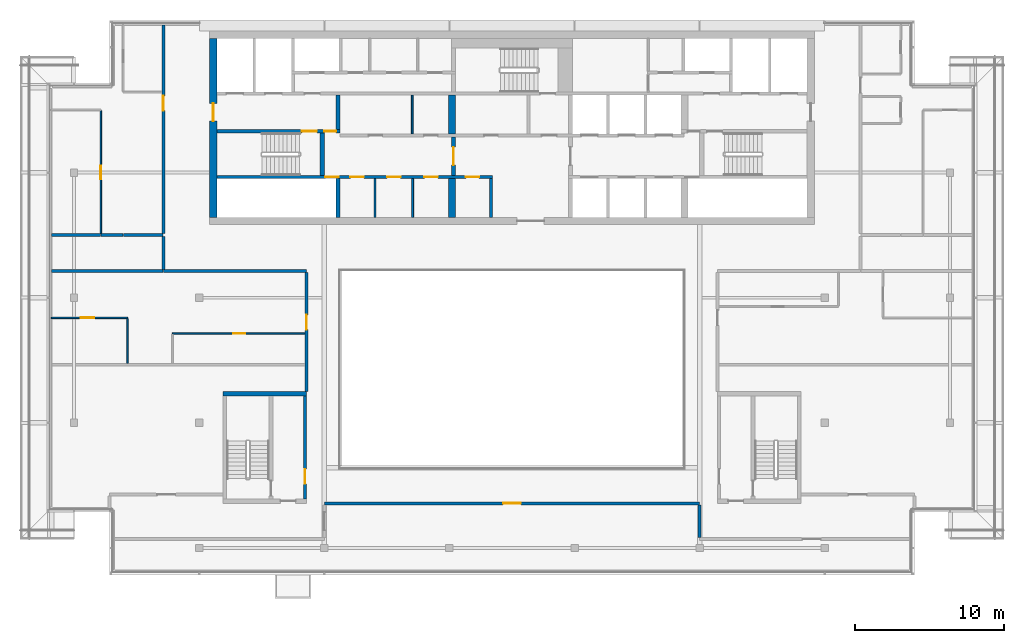
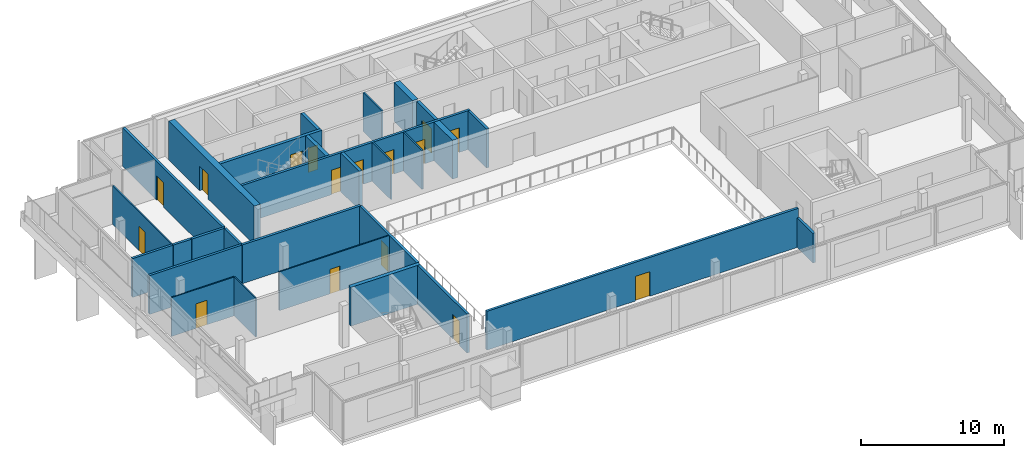
# One storey, part 11 of 19: 29 walls, 16 doors, 16 openings.
"""IFC4 building model written with IfcOpenShell, lengths in metres."""

from ifc_helpers import new_model, si_unit, direction, frame, frame_2d, origin, place, context, subcontext, project, spatial, rectangle, extrude, material, layer, layer_set, type_object, element, fill, save


model = new_model("IFC4")

# Units and contexts
model_context = context("Model", 3, precision=1e-05, world=origin(), true_north=direction((0.0, 1.0)))
body_context = subcontext(model_context, "Body", "Model", "MODEL_VIEW")
ifc_project = project(units=[si_unit("LENGTHUNIT", "METRE"), si_unit("AREAUNIT", "SQUARE_METRE"), si_unit("VOLUMEUNIT", "CUBIC_METRE"), si_unit("PLANEANGLEUNIT", "RADIAN"), si_unit("MASSUNIT", "GRAM", prefix="KILO")], contexts=[model_context])

# Site, building, storey
site_placement = place(None, origin())
site = spatial("IfcSite", under=ifc_project, at=site_placement, CompositionType="ELEMENT")
building_placement = place(site_placement, origin())
building = spatial("IfcBuilding", under=site, at=building_placement, Name="Saffron Gate Tower", CompositionType="ELEMENT")
storey_placement = place(building_placement, frame((0.0, 0.0, 292.35009765625)))
storey = spatial("IfcBuildingStorey", under=building, at=storey_placement, Name="L71", CompositionType="ELEMENT", Elevation=292.35009765625)

# Wall
ifc_material_1 = material(Name="Gypsum board partition on steel studs", Category="steel")
ifc_layer_1 = layer(ifc_material_1, 0.199951171875)
ifc_layer_set_1 = layer_set([ifc_layer_1], Name="CW10 Core partition 200")
wall_type_1 = type_object("IfcWallType", Name="CW10 Core partition 200", PredefinedType="PARTITIONING", material=ifc_layer_set_1)
wall_1_placement = place(storey_placement, frame((86.199951171875, 62.39990234375, 0.0), z_axis=(0.0, 0.0, 1.0), x_axis=(0.0, 1.0, 0.0)))
element("IfcWall", 1, at=wall_1_placement, inside=storey, type_object=wall_type_1, Name="Wall CW10-L71-9", PredefinedType="PARTITIONING", context=body_context, shape_type="SweptSolid", body=[
    extrude(rectangle(XDim=2.60009765625, YDim=0.199951171875, at=frame_2d((1.300048828125, 0.0))), origin(), (0.0, 0.0, 1.0), 3.31982421875),
])

# Wall, opening, door
wall_2_placement = place(storey_placement, frame((73.699951171875, 43.5, 0.0), z_axis=(0.0, 0.0, 1.0), x_axis=(0.0, 1.0, 0.0)))
wall_2 = element("IfcWall", 2, at=wall_2_placement, inside=storey, type_object=wall_type_1, Name="Wall CW10-L71-D-4", PredefinedType="PARTITIONING", context=body_context, shape_type="SweptSolid", body=[
    extrude(rectangle(XDim=6.89990234375, YDim=0.199951171875, at=frame_2d((3.449951171875, 0.0))), origin(), (0.0, 0.0, 1.0), 3.31982421875),
])
opening_1_placement = place(wall_2_placement, frame((1.0, 0.0, 0.0)))
opening_1 = element("IfcOpeningElement", 3, at=opening_1_placement, cuts=wall_2, Name="Opening CR-19", PredefinedType="OPENING", context=body_context, shape_type="SweptSolid", body=[
    extrude(rectangle(XDim=1.0, YDim=2.10009765625, at=frame_2d((0.5, 1.050048828125))), frame((0.0, 0.10986328125, 0.0), z_axis=(0.0, -1.0, 0.0), x_axis=(1.0, 0.0, 0.0)), (0.0, 0.0, 1.0), 0.219970703125),
])
ifc_material_2 = material(Name="Steel fire door set", Category="steel")
door_type_1 = type_object("IfcDoorType", Name="CD4 Lobby door 1000x2100 EI 120", OperationType="NOTDEFINED", PredefinedType="DOOR", material=ifc_material_2)
door_1_placement = place(opening_1_placement, origin())
door_1 = element("IfcDoor", 4, at=door_1_placement, inside=storey, type_object=door_type_1, Name="DOOR CR-19", OperationType="SINGLE_SWING_RIGHT", OverallHeight=2.10009765625, OverallWidth=1.0, PredefinedType="DOOR", context=body_context, shape_type="SweptSolid", body=[
    extrude(rectangle(XDim=1.0, YDim=2.10009765625, at=frame_2d((0.5, 1.050048828125))), frame((0.0, 0.02490234375, 0.0), z_axis=(0.0, -1.0, 0.0), x_axis=(1.0, 0.0, 0.0)), (0.0, 0.0, 1.0), 0.050048828125),
])
fill(opening_1, door_1)

ifc_material_3 = material(Name="Concrete C50", Category="concrete")
ifc_layer_2 = layer(ifc_material_3, 0.5)
ifc_layer_set_2 = layer_set([ifc_layer_2], Name="CW22 RC core wall 500 C50")
wall_type_2 = type_object("IfcWallType", Name="CW22 RC core wall 500 C50", PredefinedType="SOLIDWALL", material=ifc_layer_set_2)
wall_3_placement = place(storey_placement, frame((67.550048828125, 62.39990234375, 0.0), z_axis=(0.0, 0.0, 1.0), x_axis=(0.0, 1.0, 0.0)))
wall_3 = element("IfcWall", 5, at=wall_3_placement, inside=storey, type_object=wall_type_2, Name="Wall CW22-L71-3", PredefinedType="SOLIDWALL", context=body_context, shape_type="SweptSolid", body=[
    extrude(rectangle(XDim=12.0, YDim=0.5, at=frame_2d((6.0, 0.0))), origin(), (0.0, 0.0, 1.0), 3.31982421875),
])
opening_2_placement = place(wall_3_placement, frame((6.449951171875, 0.0, 0.0)))
opening_2 = element("IfcOpeningElement", 6, at=opening_2_placement, cuts=wall_3, Name="Opening CR-10", PredefinedType="OPENING", context=body_context, shape_type="SweptSolid", body=[
    extrude(rectangle(XDim=1.199951171875, YDim=2.10009765625, at=frame_2d((0.60009765625, 1.050048828125))), frame((0.0, 0.260009765625, 0.0), z_axis=(0.0, -1.0, 0.0), x_axis=(1.0, 0.0, 0.0)), (0.0, 0.0, 1.0), 0.52001953125),
])
door_type_2 = type_object("IfcDoorType", Name="CD7 Core entrance door 1200x2100 EI 120", OperationType="NOTDEFINED", PredefinedType="DOOR", material=ifc_material_2)
door_2_placement = place(opening_2_placement, origin())
door_2 = element("IfcDoor", 7, at=door_2_placement, inside=storey, type_object=door_type_2, Name="DOOR CR-10", OperationType="SINGLE_SWING_LEFT", OverallHeight=2.10009765625, OverallWidth=1.199951171875, PredefinedType="DOOR", context=body_context, shape_type="SweptSolid", body=[
    extrude(rectangle(XDim=1.199951171875, YDim=2.10009765625, at=frame_2d((0.60009765625, 1.050048828125))), frame((0.0, 0.02490234375, 0.0), z_axis=(0.0, -1.0, 0.0), x_axis=(1.0, 0.0, 0.0)), (0.0, 0.0, 1.0), 0.050048828125),
])
fill(opening_2, door_2)

# Wall
ifc_layer_3 = layer(ifc_material_3, 0.25)
ifc_layer_set_3 = layer_set([ifc_layer_3], Name="CW23 RC core wall 250 C50")
wall_type_3 = type_object("IfcWallType", Name="CW23 RC core wall 250 C50", PredefinedType="SOLIDWALL", material=ifc_layer_set_3)
wall_4_placement = place(storey_placement, frame((75.925048828125, 62.39990234375, 0.0), z_axis=(0.0, 0.0, 1.0), x_axis=(0.0, 1.0, 0.0)))
element("IfcWall", 8, at=wall_4_placement, inside=storey, type_object=wall_type_3, Name="Wall CW23-L71-5", PredefinedType="SOLIDWALL", context=body_context, shape_type="SweptSolid", body=[
    extrude(rectangle(XDim=2.60009765625, YDim=0.25, at=frame_2d((1.300048828125, 0.0))), origin(), (0.0, 0.0, 1.0), 3.31982421875),
])

# Wall, opening, door
wall_5_placement = place(storey_placement, frame((83.675048828125, 65.199951171875, 0.0), z_axis=(0.0, 0.0, 1.0), x_axis=(0.0, 1.0, 0.0)))
wall_5 = element("IfcWall", 9, at=wall_5_placement, inside=storey, type_object=wall_type_3, Name="Wall CW23-L71-17", PredefinedType="SOLIDWALL", context=body_context, shape_type="SweptSolid", body=[
    extrude(rectangle(XDim=2.60009765625, YDim=0.25, at=frame_2d((1.300048828125, 0.0))), origin(), (0.0, 0.0, 1.0), 3.31982421875),
])
opening_3_placement = place(wall_5_placement, frame((0.699951171875, 0.0, 0.0)))
opening_3 = element("IfcOpeningElement", 10, at=opening_3_placement, cuts=wall_5, Name="Opening CR-07", PredefinedType="OPENING", context=body_context, shape_type="SweptSolid", body=[
    extrude(rectangle(XDim=1.199951171875, YDim=2.10009765625, at=frame_2d((0.60009765625, 1.050048828125))), frame((0.0, 0.135009765625, 0.0), z_axis=(0.0, -1.0, 0.0), x_axis=(1.0, 0.0, 0.0)), (0.0, 0.0, 1.0), 0.27001953125),
])
door_type_3 = type_object("IfcDoorType", Name="CD3 Lobby door 1200x2100 EI 120", OperationType="NOTDEFINED", PredefinedType="DOOR", material=ifc_material_2)
door_3_placement = place(opening_3_placement, origin())
door_3 = element("IfcDoor", 11, at=door_3_placement, inside=storey, type_object=door_type_3, Name="DOOR CR-07", OperationType="SINGLE_SWING_RIGHT", OverallHeight=2.10009765625, OverallWidth=1.199951171875, PredefinedType="DOOR", context=body_context, shape_type="SweptSolid", body=[
    extrude(rectangle(XDim=1.199951171875, YDim=2.10009765625, at=frame_2d((0.60009765625, 1.050048828125))), frame((0.0, 0.02490234375, 0.0), z_axis=(0.0, -1.0, 0.0), x_axis=(1.0, 0.0, 0.0)), (0.0, 0.0, 1.0), 0.050048828125),
])
fill(opening_3, door_3)

# Wall, openings, doors
wall_6_placement = place(storey_placement, frame((67.800048828125, 68.175048828125, 0.0), z_axis=(0.0, 0.0, 1.0), x_axis=(1.0, 0.0, 0.0)))
wall_6 = element("IfcWall", 12, at=wall_6_placement, inside=storey, type_object=wall_type_3, Name="Wall CW23-L71-28", PredefinedType="SOLIDWALL", context=body_context, shape_type="SweptSolid", body=[
    extrude(rectangle(XDim=8.25, YDim=0.25, at=frame_2d((4.125, 0.0))), origin(), (0.0, 0.0, 1.0), 3.31982421875),
])
opening_4_placement = place(wall_6_placement, frame((5.699951171875, 0.0, 0.0)))
opening_4 = element("IfcOpeningElement", 13, at=opening_4_placement, cuts=wall_6, Name="Opening CR-15", PredefinedType="OPENING", context=body_context, shape_type="SweptSolid", body=[
    extrude(rectangle(XDim=1.0, YDim=2.10009765625, at=frame_2d((0.5, 1.050048828125))), frame((0.0, 0.135009765625, 0.0), z_axis=(0.0, -1.0, 0.0), x_axis=(1.0, 0.0, 0.0)), (0.0, 0.0, 1.0), 0.27001953125),
])
opening_5_placement = place(wall_6_placement, frame((7.199951171875, 0.0, 0.0)))
opening_5 = element("IfcOpeningElement", 14, at=opening_5_placement, cuts=wall_6, Name="Opening CR-06", PredefinedType="OPENING", context=body_context, shape_type="SweptSolid", body=[
    extrude(rectangle(XDim=0.800048828125, YDim=2.10009765625, at=frame_2d((0.39990234375, 1.050048828125))), frame((0.0, 0.135009765625, 0.0), z_axis=(0.0, -1.0, 0.0), x_axis=(1.0, 0.0, 0.0)), (0.0, 0.0, 1.0), 0.27001953125),
])
door_type_4 = type_object("IfcDoorType", Name="CD5 Stair door 1000x2100 EI 120", OperationType="NOTDEFINED", PredefinedType="DOOR", material=ifc_material_2)
door_4_placement = place(opening_4_placement, origin())
door_4 = element("IfcDoor", 15, at=door_4_placement, inside=storey, type_object=door_type_4, Name="DOOR CR-15", OperationType="SINGLE_SWING_RIGHT", OverallHeight=2.10009765625, OverallWidth=1.0, PredefinedType="DOOR", context=body_context, shape_type="SweptSolid", body=[
    extrude(rectangle(XDim=1.0, YDim=2.10009765625, at=frame_2d((0.5, 1.050048828125))), frame((0.0, 0.02490234375, 0.0), z_axis=(0.0, -1.0, 0.0), x_axis=(1.0, 0.0, 0.0)), (0.0, 0.0, 1.0), 0.050048828125),
])
fill(opening_4, door_4)
door_type_5 = type_object("IfcDoorType", Name="CD6 Lobby door 800x2100 EI 120", OperationType="NOTDEFINED", PredefinedType="DOOR", material=ifc_material_2)
door_5_placement = place(opening_5_placement, origin())
door_5 = element("IfcDoor", 16, at=door_5_placement, inside=storey, type_object=door_type_5, Name="DOOR CR-06", OperationType="SINGLE_SWING_LEFT", OverallHeight=2.10009765625, OverallWidth=0.800048828125, PredefinedType="DOOR", context=body_context, shape_type="SweptSolid", body=[
    extrude(rectangle(XDim=0.800048828125, YDim=2.10009765625, at=frame_2d((0.39990234375, 1.050048828125))), frame((0.0, 0.02490234375, 0.0), z_axis=(0.0, -1.0, 0.0), x_axis=(1.0, 0.0, 0.0)), (0.0, 0.0, 1.0), 0.050048828125),
])
fill(opening_5, door_5)

# Walls
wall_7_placement = place(storey_placement, frame((75.925048828125, 68.300048828125, 0.0), z_axis=(0.0, 0.0, 1.0), x_axis=(0.0, 1.0, 0.0)))
element("IfcWall", 17, at=wall_7_placement, inside=storey, type_object=wall_type_3, Name="Wall CW23-L71-30", PredefinedType="SOLIDWALL", context=body_context, shape_type="SweptSolid", body=[
    extrude(rectangle(XDim=2.300048828125, YDim=0.25, at=frame_2d((1.14990234375, 0.0))), origin(), (0.0, 0.0, 1.0), 3.31982421875),
])
ifc_layer_4 = layer(ifc_material_3, 0.449951171875)
ifc_layer_set_4 = layer_set([ifc_layer_4], Name="CW24 RC core wall 450 C50")
wall_type_4 = type_object("IfcWallType", Name="CW24 RC core wall 450 C50", PredefinedType="SOLIDWALL", material=ifc_layer_set_4)
for number, where, z_axis, x_axis, name in (
    (18, (83.574951171875, 62.39990234375, 0.0), (0.0, 0.0, 1.0), (0.0, 1.0, 0.0), "Wall CW24-L71-8"),
    (19, (83.574951171875, 68.0, 0.0), (0.0, 0.0, 1.0), (0.0, 1.0, 0.0), "Wall CW24-L71-22"),
):
    element("IfcWall", number, at=place(storey_placement, frame(where, z_axis=z_axis, x_axis=x_axis)), inside=storey, type_object=wall_type_4, Name=name, PredefinedType="SOLIDWALL", context=body_context, shape_type="SweptSolid", body=[
        extrude(rectangle(XDim=2.60009765625, YDim=0.449951171875, at=frame_2d((1.300048828125, 0.0))), origin(), (0.0, 0.0, 1.0), 3.31982421875),
    ])

# Wall, openings, doors
ifc_layer_5 = layer(ifc_material_3, 0.199951171875)
ifc_layer_set_5 = layer_set([ifc_layer_5], Name="CW25 RC core wall 200 C50")
wall_type_5 = type_object("IfcWallType", Name="CW25 RC core wall 200 C50", PredefinedType="SOLIDWALL", material=ifc_layer_set_5)
wall_8_placement = place(storey_placement, frame((67.800048828125, 65.10009765625, 0.0), z_axis=(0.0, 0.0, 1.0), x_axis=(1.0, 0.0, 0.0)))
wall_8 = element("IfcWall", 20, at=wall_8_placement, inside=storey, type_object=wall_type_5, Name="Wall CW25-L71-14", PredefinedType="SOLIDWALL", context=body_context, shape_type="SweptSolid", body=[
    extrude(rectangle(XDim=18.5, YDim=0.199951171875, at=frame_2d((9.25, 0.0))), origin(), (0.0, 0.0, 1.0), 3.31982421875),
])
opening_6_placement = place(wall_8_placement, frame((7.27001953125, 0.0, 0.0)))
opening_6 = element("IfcOpeningElement", 21, at=opening_6_placement, cuts=wall_8, Name="Opening CR-49", PredefinedType="OPENING", context=body_context, shape_type="SweptSolid", body=[
    extrude(rectangle(XDim=0.89990234375, YDim=2.10009765625, at=frame_2d((0.449951171875, 1.050048828125))), frame((0.0, 0.10986328125, 0.0), z_axis=(0.0, -1.0, 0.0), x_axis=(1.0, 0.0, 0.0)), (0.0, 0.0, 1.0), 0.219970703125),
])
opening_7_placement = place(wall_8_placement, frame((8.949951171875, 0.0, 0.0)))
opening_7 = element("IfcOpeningElement", 22, at=opening_7_placement, cuts=wall_8, Name="Opening CR-64", PredefinedType="OPENING", context=body_context, shape_type="SweptSolid", body=[
    extrude(rectangle(XDim=0.89990234375, YDim=2.10009765625, at=frame_2d((0.449951171875, 1.050048828125))), frame((0.0, 0.10986328125, 0.0), z_axis=(0.0, -1.0, 0.0), x_axis=(1.0, 0.0, 0.0)), (0.0, 0.0, 1.0), 0.219970703125),
])
opening_8_placement = place(wall_8_placement, frame((11.419921875, 0.0, 0.0)))
opening_8 = element("IfcOpeningElement", 23, at=opening_8_placement, cuts=wall_8, Name="Opening CR-65", PredefinedType="OPENING", context=body_context, shape_type="SweptSolid", body=[
    extrude(rectangle(XDim=0.89990234375, YDim=2.10009765625, at=frame_2d((0.449951171875, 1.050048828125))), frame((0.0, 0.10986328125, 0.0), z_axis=(0.0, -1.0, 0.0), x_axis=(1.0, 0.0, 0.0)), (0.0, 0.0, 1.0), 0.219970703125),
])
opening_9_placement = place(wall_8_placement, frame((13.919921875, 0.0, 0.0)))
opening_9 = element("IfcOpeningElement", 24, at=opening_9_placement, cuts=wall_8, Name="Opening CR-66", PredefinedType="OPENING", context=body_context, shape_type="SweptSolid", body=[
    extrude(rectangle(XDim=0.89990234375, YDim=2.10009765625, at=frame_2d((0.449951171875, 1.050048828125))), frame((0.0, 0.10986328125, 0.0), z_axis=(0.0, -1.0, 0.0), x_axis=(1.0, 0.0, 0.0)), (0.0, 0.0, 1.0), 0.219970703125),
])
opening_10_placement = place(wall_8_placement, frame((16.699951171875, 0.0, 0.0)))
opening_10 = element("IfcOpeningElement", 25, at=opening_10_placement, cuts=wall_8, Name="Opening CR-69", PredefinedType="OPENING", context=body_context, shape_type="SweptSolid", body=[
    extrude(rectangle(XDim=0.89990234375, YDim=2.10009765625, at=frame_2d((0.449951171875, 1.050048828125))), frame((0.0, 0.10986328125, 0.0), z_axis=(0.0, -1.0, 0.0), x_axis=(1.0, 0.0, 0.0)), (0.0, 0.0, 1.0), 0.219970703125),
])
door_type_6 = type_object("IfcDoorType", Name="CD2 Riser door 900x2100 EI 60", OperationType="NOTDEFINED", PredefinedType="DOOR", material=ifc_material_2)
door_6_placement = place(opening_6_placement, origin())
door_6 = element("IfcDoor", 26, at=door_6_placement, inside=storey, type_object=door_type_6, Name="DOOR CR-49", OperationType="SINGLE_SWING_LEFT", OverallHeight=2.10009765625, OverallWidth=0.89990234375, PredefinedType="DOOR", context=body_context, shape_type="SweptSolid", body=[
    extrude(rectangle(XDim=0.89990234375, YDim=2.10009765625, at=frame_2d((0.449951171875, 1.050048828125))), frame((0.0, 0.02490234375, 0.0), z_axis=(0.0, -1.0, 0.0), x_axis=(1.0, 0.0, 0.0)), (0.0, 0.0, 1.0), 0.050048828125),
])
fill(opening_6, door_6)
door_type_7 = type_object("IfcDoorType", Name="CD9 Room door 900x2100 EI 60", OperationType="NOTDEFINED", PredefinedType="DOOR", material=ifc_material_2)
door_7_placement = place(opening_7_placement, origin())
door_7 = element("IfcDoor", 27, at=door_7_placement, inside=storey, type_object=door_type_7, Name="DOOR CR-64", OperationType="SINGLE_SWING_RIGHT", OverallHeight=2.10009765625, OverallWidth=0.89990234375, PredefinedType="DOOR", context=body_context, shape_type="SweptSolid", body=[
    extrude(rectangle(XDim=0.89990234375, YDim=2.10009765625, at=frame_2d((0.449951171875, 1.050048828125))), frame((0.0, 0.02490234375, 0.0), z_axis=(0.0, -1.0, 0.0), x_axis=(1.0, 0.0, 0.0)), (0.0, 0.0, 1.0), 0.050048828125),
])
fill(opening_7, door_7)
door_8_placement = place(opening_8_placement, origin())
door_8 = element("IfcDoor", 28, at=door_8_placement, inside=storey, type_object=door_type_7, Name="DOOR CR-65", OperationType="SINGLE_SWING_RIGHT", OverallHeight=2.10009765625, OverallWidth=0.89990234375, PredefinedType="DOOR", context=body_context, shape_type="SweptSolid", body=[
    extrude(rectangle(XDim=0.89990234375, YDim=2.10009765625, at=frame_2d((0.449951171875, 1.050048828125))), frame((0.0, 0.02490234375, 0.0), z_axis=(0.0, -1.0, 0.0), x_axis=(1.0, 0.0, 0.0)), (0.0, 0.0, 1.0), 0.050048828125),
])
fill(opening_8, door_8)
door_9_placement = place(opening_9_placement, origin())
door_9 = element("IfcDoor", 29, at=door_9_placement, inside=storey, type_object=door_type_7, Name="DOOR CR-66", OperationType="SINGLE_SWING_RIGHT", OverallHeight=2.10009765625, OverallWidth=0.89990234375, PredefinedType="DOOR", context=body_context, shape_type="SweptSolid", body=[
    extrude(rectangle(XDim=0.89990234375, YDim=2.10009765625, at=frame_2d((0.449951171875, 1.050048828125))), frame((0.0, 0.02490234375, 0.0), z_axis=(0.0, -1.0, 0.0), x_axis=(1.0, 0.0, 0.0)), (0.0, 0.0, 1.0), 0.050048828125),
])
fill(opening_9, door_9)
door_10_placement = place(opening_10_placement, origin())
door_10 = element("IfcDoor", 30, at=door_10_placement, inside=storey, type_object=door_type_7, Name="DOOR CR-69", OperationType="SINGLE_SWING_RIGHT", OverallHeight=2.10009765625, OverallWidth=0.89990234375, PredefinedType="DOOR", context=body_context, shape_type="SweptSolid", body=[
    extrude(rectangle(XDim=0.89990234375, YDim=2.10009765625, at=frame_2d((0.449951171875, 1.050048828125))), frame((0.0, 0.02490234375, 0.0), z_axis=(0.0, -1.0, 0.0), x_axis=(1.0, 0.0, 0.0)), (0.0, 0.0, 1.0), 0.050048828125),
])
fill(opening_10, door_10)

# Walls
ifc_layer_6 = layer(ifc_material_3, 0.300048828125)
ifc_layer_set_6 = layer_set([ifc_layer_6], Name="CW26 RC core wall 300 C50")
wall_type_6 = type_object("IfcWallType", Name="CW26 RC core wall 300 C50", PredefinedType="SOLIDWALL", material=ifc_layer_set_6)
wall_9_placement = place(storey_placement, frame((74.85009765625, 65.199951171875, 0.0), z_axis=(0.0, 0.0, 1.0), x_axis=(0.0, 1.0, 0.0)))
element("IfcWall", 31, at=wall_9_placement, inside=storey, type_object=wall_type_6, Name="Wall CW26-L71-16", PredefinedType="SOLIDWALL", context=body_context, shape_type="SweptSolid", body=[
    extrude(rectangle(XDim=2.85009765625, YDim=0.300048828125, at=frame_2d((1.425048828125, 0.0))), origin(), (0.0, 0.0, 1.0), 3.31982421875),
])
wall_10_placement = place(storey_placement, frame((68.199951171875, 50.550048828125, 0.0), z_axis=(0.0, 0.0, 1.0), x_axis=(1.0, 0.0, 0.0)))
element("IfcWall", 32, at=wall_10_placement, inside=storey, type_object=wall_type_6, Name="Wall CW26-L71-D-5", PredefinedType="SOLIDWALL", context=body_context, shape_type="SweptSolid", body=[
    extrude(rectangle(XDim=5.60009765625, YDim=0.300048828125, at=frame_2d((2.800048828125, 0.0))), origin(), (0.0, 0.0, 1.0), 3.31982421875),
])
ifc_layer_7 = layer(ifc_material_1, 0.1201171875)
ifc_layer_set_7 = layer_set([ifc_layer_7], Name="CW8 Core partition 120")
wall_type_7 = type_object("IfcWallType", Name="CW8 Core partition 120", PredefinedType="PARTITIONING", material=ifc_layer_set_7)
for number, where, z_axis, x_axis, name in (
    (33, (78.409912109375, 62.39990234375, 0.0), (0.0, 0.0, 1.0), (0.0, 1.0, 0.0), "Wall CW8-L71-6"),
    (34, (80.929931640625, 62.39990234375, 0.0), (0.0, 0.0, 1.0), (0.0, 1.0, 0.0), "Wall CW8-L71-7"),
    (35, (80.909912109375, 68.0, 0.0), (0.0, 0.0, 1.0), (0.0, 1.0, 0.0), "Wall CW8-L71-21"),
):
    element("IfcWall", number, at=place(storey_placement, frame(where, z_axis=z_axis, x_axis=x_axis)), inside=storey, type_object=wall_type_7, Name=name, PredefinedType="PARTITIONING", context=body_context, shape_type="SweptSolid", body=[
        extrude(rectangle(XDim=2.60009765625, YDim=0.1201171875, at=frame_2d((1.300048828125, 0.0))), origin(), (0.0, 0.0, 1.0), 3.31982421875),
    ])

# Wall, opening, door
ifc_material_4 = material(Name="Plasterboard on steel studs", Category="steel")
ifc_layer_8 = layer(ifc_material_4, 0.10009765625)
ifc_layer_set_8 = layer_set([ifc_layer_8], Name="PW1 Partition 100")
wall_type_8 = type_object("IfcWallType", Name="PW1 Partition 100", PredefinedType="PARTITIONING", material=ifc_layer_set_8)
wall_11_placement = place(storey_placement, frame((73.699951171875, 54.60009765625, 0.0), z_axis=(0.0, 0.0, 1.0), x_axis=(-1.0, 0.0, 0.0)))
wall_11 = element("IfcWall", 36, at=wall_11_placement, inside=storey, type_object=wall_type_8, Name="Partition E5-8", PredefinedType="PARTITIONING", context=body_context, shape_type="SweptSolid", body=[
    extrude(rectangle(XDim=8.89990234375, YDim=0.10009765625, at=frame_2d((4.449951171875, 0.0))), origin(), (0.0, 0.0, 1.0), 3.31982421875),
])
opening_11_placement = place(wall_11_placement, frame((4.0, 0.0, 0.0)))
opening_11 = element("IfcOpeningElement", 37, at=opening_11_placement, cuts=wall_11, Name="Opening E5-10", PredefinedType="OPENING", context=body_context, shape_type="SweptSolid", body=[
    extrude(rectangle(XDim=0.800048828125, YDim=2.10009765625, at=frame_2d((0.39990234375, 1.050048828125))), frame((0.0, 0.06005859375, 0.0), z_axis=(0.0, -1.0, 0.0), x_axis=(1.0, 0.0, 0.0)), (0.0, 0.0, 1.0), 0.1201171875),
])
ifc_material_5 = material(Name="Timber door set", Category="wood")
door_type_8 = type_object("IfcDoorType", Name="RD2 Bathroom door 800x2100", OperationType="NOTDEFINED", PredefinedType="DOOR", material=ifc_material_5)
door_11_placement = place(opening_11_placement, origin())
door_11 = element("IfcDoor", 38, at=door_11_placement, inside=storey, type_object=door_type_8, Name="Door E5-10", OperationType="SINGLE_SWING_LEFT", OverallHeight=2.10009765625, OverallWidth=0.800048828125, PredefinedType="DOOR", context=body_context, shape_type="SweptSolid", body=[
    extrude(rectangle(XDim=0.800048828125, YDim=2.10009765625, at=frame_2d((0.39990234375, 1.050048828125))), frame((0.0, 0.02490234375, 0.0), z_axis=(0.0, -1.0, 0.0), x_axis=(1.0, 0.0, 0.0)), (0.0, 0.0, 1.0), 0.050048828125),
])
fill(opening_11, door_11)

wall_12_placement = place(storey_placement, frame((61.800048828125, 55.64990234375, 0.0), z_axis=(0.0, 0.0, 1.0), x_axis=(-1.0, 0.0, 0.0)))
wall_12 = element("IfcWall", 39, at=wall_12_placement, inside=storey, type_object=wall_type_8, Name="Partition E5-9", PredefinedType="PARTITIONING", context=body_context, shape_type="SweptSolid", body=[
    extrude(rectangle(XDim=5.1201171875, YDim=0.10009765625, at=frame_2d((2.56005859375, 0.0))), origin(), (0.0, 0.0, 1.0), 3.31982421875),
])
opening_12_placement = place(wall_12_placement, frame((2.25, 0.0, 0.0)))
opening_12 = element("IfcOpeningElement", 40, at=opening_12_placement, cuts=wall_12, Name="Opening E5-5", PredefinedType="OPENING", context=body_context, shape_type="SweptSolid", body=[
    extrude(rectangle(XDim=0.89990234375, YDim=2.10009765625, at=frame_2d((0.449951171875, 1.050048828125))), frame((0.0, 0.06005859375, 0.0), z_axis=(0.0, -1.0, 0.0), x_axis=(1.0, 0.0, 0.0)), (0.0, 0.0, 1.0), 0.1201171875),
])
door_type_9 = type_object("IfcDoorType", Name="RD1 Room door 900x2100", OperationType="NOTDEFINED", PredefinedType="DOOR", material=ifc_material_5)
door_12_placement = place(opening_12_placement, origin())
door_12 = element("IfcDoor", 41, at=door_12_placement, inside=storey, type_object=door_type_9, Name="Door E5-5", OperationType="SINGLE_SWING_RIGHT", OverallHeight=2.10009765625, OverallWidth=0.89990234375, PredefinedType="DOOR", context=body_context, shape_type="SweptSolid", body=[
    extrude(rectangle(XDim=0.89990234375, YDim=2.10009765625, at=frame_2d((0.449951171875, 1.050048828125))), frame((0.0, 0.02490234375, 0.0), z_axis=(0.0, -1.0, 0.0), x_axis=(1.0, 0.0, 0.0)), (0.0, 0.0, 1.0), 0.050048828125),
])
fill(opening_12, door_12)

wall_13_placement = place(storey_placement, frame((60.0, 61.300048828125, 0.0), z_axis=(0.0, 0.0, 1.0), x_axis=(0.0, 1.0, 0.0)))
wall_13 = element("IfcWall", 42, at=wall_13_placement, inside=storey, type_object=wall_type_8, Name="Partition E5-29", PredefinedType="PARTITIONING", context=body_context, shape_type="SweptSolid", body=[
    extrude(rectangle(XDim=8.25, YDim=0.10009765625, at=frame_2d((4.125, 0.0))), origin(), (0.0, 0.0, 1.0), 3.31982421875),
])
opening_13_placement = place(wall_13_placement, frame((3.64990234375, 0.0, 0.0)))
opening_13 = element("IfcOpeningElement", 43, at=opening_13_placement, cuts=wall_13, Name="Opening E5-6", PredefinedType="OPENING", context=body_context, shape_type="SweptSolid", body=[
    extrude(rectangle(XDim=0.89990234375, YDim=2.10009765625, at=frame_2d((0.449951171875, 1.050048828125))), frame((0.0, 0.06005859375, 0.0), z_axis=(0.0, -1.0, 0.0), x_axis=(1.0, 0.0, 0.0)), (0.0, 0.0, 1.0), 0.1201171875),
])
door_13_placement = place(opening_13_placement, origin())
door_13 = element("IfcDoor", 44, at=door_13_placement, inside=storey, type_object=door_type_9, Name="Door E5-6", OperationType="SINGLE_SWING_LEFT", OverallHeight=2.10009765625, OverallWidth=0.89990234375, PredefinedType="DOOR", context=body_context, shape_type="SweptSolid", body=[
    extrude(rectangle(XDim=0.89990234375, YDim=2.10009765625, at=frame_2d((0.449951171875, 1.050048828125))), frame((0.0, 0.02490234375, 0.0), z_axis=(0.0, -1.0, 0.0), x_axis=(1.0, 0.0, 0.0)), (0.0, 0.0, 1.0), 0.050048828125),
])
fill(opening_13, door_13)

# Wall
wall_14_placement = place(storey_placement, frame((61.800048828125, 55.60009765625, 0.0), z_axis=(0.0, 0.0, 1.0), x_axis=(0.0, -1.0, 0.0)))
element("IfcWall", 45, at=wall_14_placement, inside=storey, type_object=wall_type_8, Name="Partition E5-32", PredefinedType="PARTITIONING", context=body_context, shape_type="SweptSolid", body=[
    extrude(rectangle(XDim=3.0, YDim=0.10009765625, at=frame_2d((1.5, 0.0))), origin(), (0.0, 0.0, 1.0), 3.31982421875),
])

# Wall, opening, door
ifc_material_6 = material(Name="Clay brick masonry, rendered", Category="masonry")
ifc_layer_9 = layer(ifc_material_6, 0.199951171875)
ifc_layer_set_9 = layer_set([ifc_layer_9], Name="PW3 Corridor wall 200")
wall_type_9 = type_object("IfcWallType", Name="PW3 Corridor wall 200", PredefinedType="PARTITIONING", material=ifc_layer_set_9)
wall_15_placement = place(storey_placement, frame((100.199951171875, 43.199951171875, 0.0), z_axis=(0.0, 0.0, 1.0), x_axis=(-1.0, 0.0, 0.0)))
wall_15 = element("IfcWall", 46, at=wall_15_placement, inside=storey, type_object=wall_type_9, Name="Wall E5-3", PredefinedType="PARTITIONING", context=body_context, shape_type="SweptSolid", body=[
    extrude(rectangle(XDim=25.199951171875, YDim=0.199951171875, at=frame_2d((12.60009765625, 0.0))), origin(), (0.0, 0.0, 1.0), 3.31982421875),
])
opening_14_placement = place(wall_15_placement, frame((12.0, 0.0, 0.0)))
opening_14 = element("IfcOpeningElement", 47, at=opening_14_placement, cuts=wall_15, Name="Opening E5-14", PredefinedType="OPENING", context=body_context, shape_type="SweptSolid", body=[
    extrude(rectangle(XDim=1.199951171875, YDim=2.10009765625, at=frame_2d((0.60009765625, 1.050048828125))), frame((0.0, 0.10986328125, 0.0), z_axis=(0.0, -1.0, 0.0), x_axis=(1.0, 0.0, 0.0)), (0.0, 0.0, 1.0), 0.219970703125),
])
door_type_10 = type_object("IfcDoorType", Name="HD1 Hall door 1200x2100", OperationType="NOTDEFINED", PredefinedType="DOOR", material=ifc_material_5)
door_14_placement = place(opening_14_placement, origin())
door_14 = element("IfcDoor", 48, at=door_14_placement, inside=storey, type_object=door_type_10, Name="Door E5-14", OperationType="SINGLE_SWING_RIGHT", OverallHeight=2.10009765625, OverallWidth=1.199951171875, PredefinedType="DOOR", context=body_context, shape_type="SweptSolid", body=[
    extrude(rectangle(XDim=1.199951171875, YDim=2.10009765625, at=frame_2d((0.60009765625, 1.050048828125))), frame((0.0, 0.02490234375, 0.0), z_axis=(0.0, -1.0, 0.0), x_axis=(1.0, 0.0, 0.0)), (0.0, 0.0, 1.0), 0.050048828125),
])
fill(opening_14, door_14)

# Wall
wall_16_placement = place(storey_placement, frame((64.199951171875, 58.800048828125, 0.0), z_axis=(0.0, 0.0, 1.0), x_axis=(1.0, 0.0, 0.0)))
element("IfcWall", 49, at=wall_16_placement, inside=storey, type_object=wall_type_9, Name="Wall E5-12", PredefinedType="PARTITIONING", context=body_context, shape_type="SweptSolid", body=[
    extrude(rectangle(XDim=9.60009765625, YDim=0.199951171875, at=frame_2d((4.800048828125, 0.0))), origin(), (0.0, 0.0, 1.0), 3.31982421875),
])

# Wall, opening, door
wall_17_placement = place(storey_placement, frame((64.199951171875, 61.300048828125, 0.0), z_axis=(0.0, 0.0, 1.0), x_axis=(0.0, 1.0, 0.0)))
wall_17 = element("IfcWall", 50, at=wall_17_placement, inside=storey, type_object=wall_type_9, Name="Wall E5-33", PredefinedType="PARTITIONING", context=body_context, shape_type="SweptSolid", body=[
    extrude(rectangle(XDim=14.02001953125, YDim=0.199951171875, at=frame_2d((7.010009765625, 0.0))), origin(), (0.0, 0.0, 1.0), 3.31982421875),
])
opening_15_placement = place(wall_17_placement, frame((8.25, 0.0, 0.0)))
opening_15 = element("IfcOpeningElement", 51, at=opening_15_placement, cuts=wall_17, Name="Opening E5-2", PredefinedType="OPENING", context=body_context, shape_type="SweptSolid", body=[
    extrude(rectangle(XDim=1.0, YDim=2.10009765625, at=frame_2d((0.5, 1.050048828125))), frame((0.0, 0.10986328125, 0.0), z_axis=(0.0, -1.0, 0.0), x_axis=(1.0, 0.0, 0.0)), (0.0, 0.0, 1.0), 0.219970703125),
])
ifc_material_7 = material(Name="Timber fire door set", Category="wood")
door_type_11 = type_object("IfcDoorType", Name="FD1 Flat entry door 1000x2100", OperationType="NOTDEFINED", PredefinedType="DOOR", material=ifc_material_7)
door_15_placement = place(opening_15_placement, origin())
door_15 = element("IfcDoor", 52, at=door_15_placement, inside=storey, type_object=door_type_11, Name="Door E5-2", OperationType="SINGLE_SWING_LEFT", OverallHeight=2.10009765625, OverallWidth=1.0, PredefinedType="DOOR", context=body_context, shape_type="SweptSolid", body=[
    extrude(rectangle(XDim=1.0, YDim=2.10009765625, at=frame_2d((0.5, 1.050048828125))), frame((0.0, 0.02490234375, 0.0), z_axis=(0.0, -1.0, 0.0), x_axis=(1.0, 0.0, 0.0)), (0.0, 0.0, 1.0), 0.050048828125),
])
fill(opening_15, door_15)

wall_18_placement = place(storey_placement, frame((73.800048828125, 50.699951171875, 0.0), z_axis=(0.0, 0.0, 1.0), x_axis=(0.0, 1.0, 0.0)))
wall_18 = element("IfcWall", 53, at=wall_18_placement, inside=storey, type_object=wall_type_9, Name="Wall E5-36", PredefinedType="PARTITIONING", context=body_context, shape_type="SweptSolid", body=[
    extrude(rectangle(XDim=8.0, YDim=0.199951171875, at=frame_2d((4.0, 0.0))), origin(), (0.0, 0.0, 1.0), 3.31982421875),
])
opening_16_placement = place(wall_18_placement, frame((4.14990234375, 0.0, 0.0)))
opening_16 = element("IfcOpeningElement", 54, at=opening_16_placement, cuts=wall_18, Name="Opening E5-1", PredefinedType="OPENING", context=body_context, shape_type="SweptSolid", body=[
    extrude(rectangle(XDim=1.0, YDim=2.10009765625, at=frame_2d((0.5, 1.050048828125))), frame((0.0, 0.10986328125, 0.0), z_axis=(0.0, -1.0, 0.0), x_axis=(1.0, 0.0, 0.0)), (0.0, 0.0, 1.0), 0.219970703125),
])
door_16_placement = place(opening_16_placement, origin())
door_16 = element("IfcDoor", 55, at=door_16_placement, inside=storey, type_object=door_type_11, Name="Door E5-1", OperationType="SINGLE_SWING_RIGHT", OverallHeight=2.10009765625, OverallWidth=1.0, PredefinedType="DOOR", context=body_context, shape_type="SweptSolid", body=[
    extrude(rectangle(XDim=1.0, YDim=2.10009765625, at=frame_2d((0.5, 1.050048828125))), frame((0.0, 0.02490234375, 0.0), z_axis=(0.0, -1.0, 0.0), x_axis=(1.0, 0.0, 0.0)), (0.0, 0.0, 1.0), 0.050048828125),
])
fill(opening_16, door_16)

# Walls
wall_19_placement = place(storey_placement, frame((100.199951171875, 43.10009765625, 0.0), z_axis=(0.0, 0.0, 1.0), x_axis=(0.0, -1.0, 0.0)))
element("IfcWall", 56, at=wall_19_placement, inside=storey, type_object=wall_type_9, Name="Wall E5-38", PredefinedType="PARTITIONING", context=body_context, shape_type="SweptSolid", body=[
    extrude(rectangle(XDim=2.2001953125, YDim=0.199951171875, at=frame_2d((1.10009765625, 0.0))), origin(), (0.0, 0.0, 1.0), 2.52978515625),
])
ifc_layer_10 = layer(ifc_material_6, 0.199951171875)
ifc_layer_set_10 = layer_set([ifc_layer_10], Name="PW5 Room wall 200")
wall_type_10 = type_object("IfcWallType", Name="PW5 Room wall 200", PredefinedType="PARTITIONING", material=ifc_layer_set_10)
wall_20_placement = place(storey_placement, frame((56.699951171875, 58.800048828125, 0.0), z_axis=(0.0, 0.0, 1.0), x_axis=(1.0, 0.0, 0.0)))
element("IfcWall", 57, at=wall_20_placement, inside=storey, type_object=wall_type_10, Name="Wall E5-14", PredefinedType="PARTITIONING", context=body_context, shape_type="SweptSolid", body=[
    extrude(rectangle(XDim=7.47998046875, YDim=0.199951171875, at=frame_2d((3.739990234375, 0.0))), origin(), (0.0, 0.0, 1.0), 3.31982421875),
])
wall_21_placement = place(storey_placement, frame((56.699951171875, 61.199951171875, 0.0), z_axis=(0.0, 0.0, 1.0), x_axis=(1.0, 0.0, 0.0)))
element("IfcWall", 58, at=wall_21_placement, inside=storey, type_object=wall_type_10, Name="Wall E5-17", PredefinedType="PARTITIONING", context=body_context, shape_type="SweptSolid", body=[
    extrude(rectangle(XDim=3.280029296875, YDim=0.199951171875, at=frame_2d((1.64013671875, 0.0))), origin(), (0.0, 0.0, 1.0), 3.31982421875),
])
wall_22_placement = place(storey_placement, frame((60.02001953125, 61.199951171875, 0.0), z_axis=(0.0, 0.0, 1.0), x_axis=(1.0, 0.0, 0.0)))
element("IfcWall", 59, at=wall_22_placement, inside=storey, type_object=wall_type_10, Name="Wall E5-18", PredefinedType="PARTITIONING", context=body_context, shape_type="SweptSolid", body=[
    extrude(rectangle(XDim=1.4599609375, YDim=0.199951171875, at=frame_2d((0.72998046875, 0.0))), origin(), (0.0, 0.0, 1.0), 3.31982421875),
])
wall_23_placement = place(storey_placement, frame((61.52001953125, 61.199951171875, 0.0), z_axis=(0.0, 0.0, 1.0), x_axis=(1.0, 0.0, 0.0)))
element("IfcWall", 60, at=wall_23_placement, inside=storey, type_object=wall_type_10, Name="Wall E5-19", PredefinedType="PARTITIONING", context=body_context, shape_type="SweptSolid", body=[
    extrude(rectangle(XDim=2.659912109375, YDim=0.199951171875, at=frame_2d((1.330078125, 0.0))), origin(), (0.0, 0.0, 1.0), 3.31982421875),
])
wall_24_placement = place(storey_placement, frame((64.199951171875, 61.10009765625, 0.0), z_axis=(0.0, 0.0, 1.0), x_axis=(0.0, -1.0, 0.0)))
element("IfcWall", 61, at=wall_24_placement, inside=storey, type_object=wall_type_10, Name="Wall E5-34", PredefinedType="PARTITIONING", context=body_context, shape_type="SweptSolid", body=[
    extrude(rectangle(XDim=2.2001953125, YDim=0.199951171875, at=frame_2d((1.10009765625, 0.0))), origin(), (0.0, 0.0, 1.0), 3.31982421875),
])

save(model, "model.ifc")
